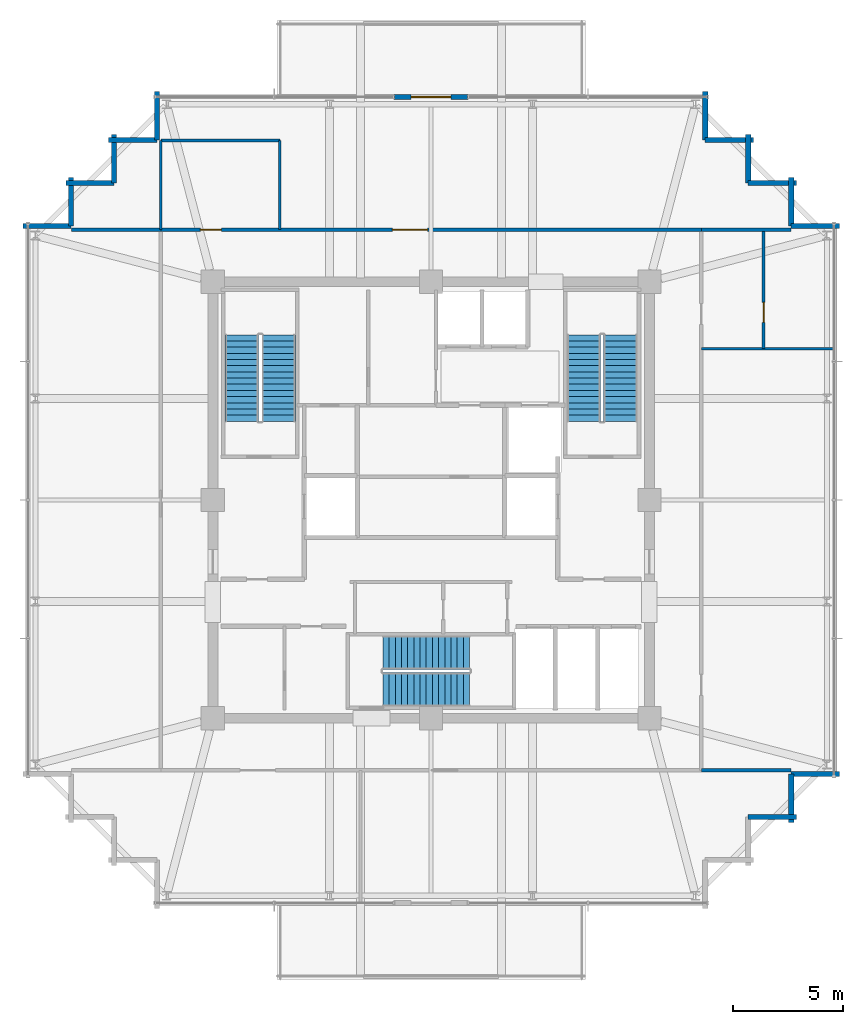
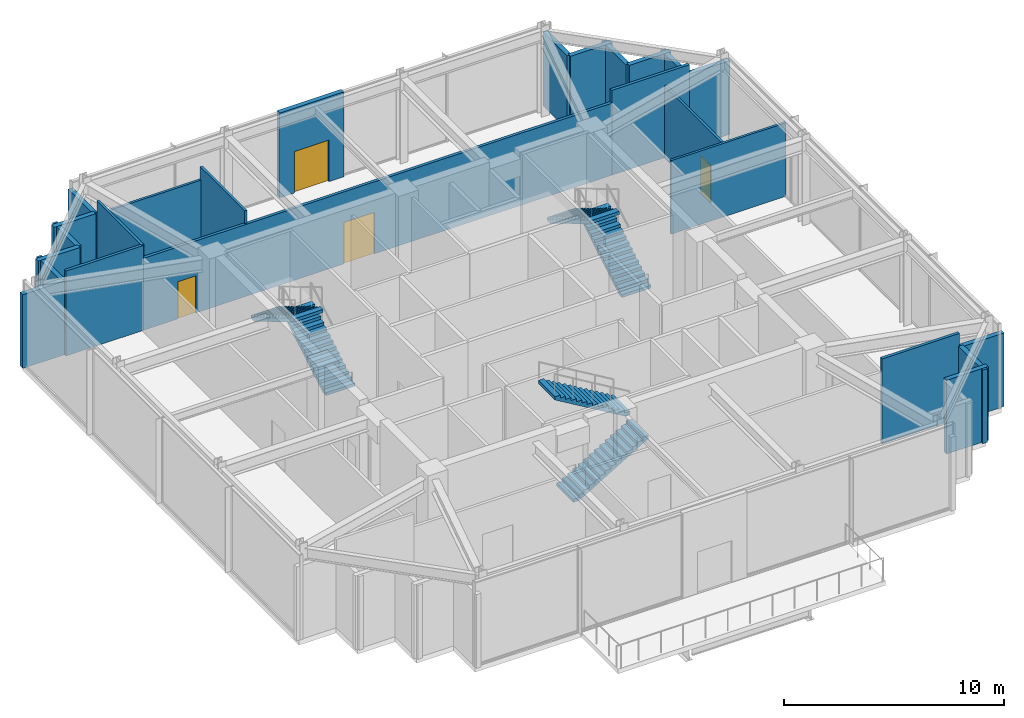
# One storey, part 29 of 31: 25 walls, 6 stair flights, 4 doors, 4 openings, 3 elements without a shape of their own.
"""IFC4 building model written with IfcOpenShell, lengths in metres."""

from ifc_helpers import new_model, si_unit, direction, frame, frame_2d, origin, place, context, subcontext, project, spatial, polyline, rectangle, outline, extrude, material, layer, layer_set, type_object, element, fill, aggregate, save


model = new_model("IFC4")

# Units and contexts
model_context = context("Model", 3, precision=1e-05, world=origin(), true_north=direction((0.0, 1.0)))
body_context = subcontext(model_context, "Body", "Model", "MODEL_VIEW")
ifc_project = project(units=[si_unit("LENGTHUNIT", "METRE"), si_unit("AREAUNIT", "SQUARE_METRE"), si_unit("VOLUMEUNIT", "CUBIC_METRE"), si_unit("PLANEANGLEUNIT", "RADIAN"), si_unit("MASSUNIT", "GRAM", prefix="KILO")], contexts=[model_context])

# Site, building, storey
site_placement = place(None, origin())
site = spatial("IfcSite", under=ifc_project, at=site_placement, CompositionType="ELEMENT")
building_placement = place(site_placement, origin())
building = spatial("IfcBuilding", under=site, at=building_placement, Name="Kolvaren Belvedere", CompositionType="ELEMENT")
storey_placement = place(building_placement, frame((0.0, 0.0, 267.39990234375)))
storey = spatial("IfcBuildingStorey", under=building, at=storey_placement, Name="L77", CompositionType="ELEMENT", Elevation=267.39990234375)

# Wall, openings, doors
ifc_material_1 = material(Name="Gypsum fire-rated partition assembly", Category="gypsum")
ifc_layer_1 = layer(ifc_material_1, 0.14990234375)
ifc_layer_set_1 = layer_set([ifc_layer_1], Name="Gypsum fire-rated partition assembly")
wall_type_1 = type_object("IfcWallType", Name="WL-CORR-150", PredefinedType="PARTITIONING", material=ifc_layer_set_1)
wall_1_placement = place(storey_placement, frame((-12.260009765625, 12.260009765625, 0.0), z_axis=(0.0, 0.0, 1.0), x_axis=(1.0, 0.0, 0.0)))
wall_1 = element("IfcWall", 1, at=wall_1_placement, inside=storey, type_object=wall_type_1, Name="L77 North Corridor Wall", PredefinedType="PARTITIONING", context=body_context, shape_type="SweptSolid", body=[
    extrude(rectangle(XDim=24.52001953125, YDim=0.14990234375, at=frame_2d((12.260009765625, 0.0))), origin(), (0.0, 0.0, 1.0), 3.989013671875),
])
opening_1_placement = place(wall_1_placement, frame((1.800048828125, 0.0, 0.0)))
opening_1 = element("IfcOpeningElement", 2, at=opening_1_placement, cuts=wall_1, Name="Opening D-INT95", PredefinedType="OPENING", context=body_context, shape_type="SweptSolid", body=[
    extrude(rectangle(XDim=0.949951171875, YDim=2.06005859375, at=frame_2d((0.47509765625, 1.030029296875))), frame((0.0, 0.0849609375, 0.0), z_axis=(0.0, -1.0, 0.0), x_axis=(1.0, 0.0, 0.0)), (0.0, 0.0, 1.0), 0.169921875),
])
opening_2_placement = place(wall_1_placement, frame((10.5, 0.0, 0.0)))
opening_2 = element("IfcOpeningElement", 3, at=opening_2_placement, cuts=wall_1, Name="Opening D-GL16", PredefinedType="OPENING", context=body_context, shape_type="SweptSolid", body=[
    extrude(rectangle(XDim=1.60009765625, YDim=2.300048828125, at=frame_2d((0.800048828125, 1.14990234375))), frame((0.0, 0.0849609375, 0.0), z_axis=(0.0, -1.0, 0.0), x_axis=(1.0, 0.0, 0.0)), (0.0, 0.0, 1.0), 0.169921875),
])
ifc_material_2 = material(Name="Anodised pale-metal aluminium & safety glass", Category="aluminium")
door_type_1 = type_object("IfcDoorType", Name="DR-GLAZ-1600", OperationType="DOUBLE_DOOR_SINGLE_SWING", PredefinedType="DOOR", material=ifc_material_2)
door_1_placement = place(opening_2_placement, origin())
door_1 = element("IfcDoor", 4, at=door_1_placement, inside=storey, type_object=door_type_1, Name="L77 North Horizon Viewing Lounge Door", OperationType="DOUBLE_DOOR_SINGLE_SWING", OverallHeight=2.300048828125, OverallWidth=1.60009765625, PredefinedType="DOOR", context=body_context, shape_type="SweptSolid", body=[
    extrude(rectangle(XDim=1.60009765625, YDim=2.300048828125, at=frame_2d((0.800048828125, 1.14990234375))), frame((0.0, 0.02490234375, 0.0), z_axis=(0.0, -1.0, 0.0), x_axis=(1.0, 0.0, 0.0)), (0.0, 0.0, 1.0), 0.050048828125),
])
fill(opening_2, door_1)
ifc_material_3 = material(Name="Stained Pacific white oak", Category="timber")
door_type_2 = type_object("IfcDoorType", Name="DR-INT-950", OperationType="NOTDEFINED", PredefinedType="DOOR", material=ifc_material_3)
door_2_placement = place(opening_1_placement, origin())
door_2 = element("IfcDoor", 5, at=door_2_placement, inside=storey, type_object=door_type_2, Name="L77 Accessible Observation Washroom Door", OperationType="SINGLE_SWING_LEFT", OverallHeight=2.06005859375, OverallWidth=0.949951171875, PredefinedType="DOOR", context=body_context, shape_type="SweptSolid", body=[
    extrude(rectangle(XDim=0.949951171875, YDim=2.06005859375, at=frame_2d((0.47509765625, 1.030029296875))), frame((0.0, 0.02490234375, 0.0), z_axis=(0.0, -1.0, 0.0), x_axis=(1.0, 0.0, 0.0)), (0.0, 0.0, 1.0), 0.050048828125),
])
fill(opening_1, door_2)

# Walls
for number, where, z_axis, x_axis, name in (
    (6, (12.260009765625, -12.260009765625, 0.0), (0.0, 0.0, 1.0), (1.0, 0.0, 0.0), "L77 Sector Wall PW-L77-QSE"),
    (7, (-16.320068359375, 12.260009765625, 0.0), (0.0, 0.0, 1.0), (1.0, 0.0, 0.0), "L77 Sector Wall PW-L77-QNW"),
    (8, (12.260009765625, 12.260009765625, 0.0), (0.0, 0.0, 1.0), (1.0, 0.0, 0.0), "L77 Sector Wall PW-L77-QNE"),
):
    element("IfcWall", number, at=place(storey_placement, frame(where, z_axis=z_axis, x_axis=x_axis)), inside=storey, type_object=wall_type_1, Name=name, PredefinedType="PARTITIONING", context=body_context, shape_type="SweptSolid", body=[
        extrude(rectangle(XDim=4.06005859375, YDim=0.14990234375, at=frame_2d((2.030029296875, 0.0))), origin(), (0.0, 0.0, 1.0), 4.7001953125),
    ])
ifc_material_4 = material(Name="Insulated pale-metal facade wall assembly", Category="aluminium")
ifc_layer_2 = layer(ifc_material_4, 0.239990234375)
ifc_layer_set_2 = layer_set([ifc_layer_2], Name="Insulated pale-metal facade wall assembly")
wall_type_2 = type_object("IfcWallType", Name="WL-EXT-240", PredefinedType="STANDARD", material=ifc_layer_set_2)
for number, where, z_axis, x_axis, name in (
    (9, (16.570068359375, -14.3798828125, 0.0), (0.0, 0.0, 1.0), (-1.0, 0.0, 0.0), "L77 Serrated Corner Facade Wall 5"),
    (10, (16.330078125, -12.429931640625, 0.0), (0.0, 0.0, 1.0), (0.0, -1.0, 0.0), "L77 Serrated Corner Facade Wall 6"),
):
    element("IfcWall", number, at=place(storey_placement, frame(where, z_axis=z_axis, x_axis=x_axis)), inside=storey, type_object=wall_type_2, Name=name, PredefinedType="STANDARD", context=body_context, shape_type="SweptSolid", body=[
        extrude(rectangle(XDim=2.190185546875, YDim=0.239990234375, at=frame_2d((1.09521484375, 0.0))), origin(), (0.0, 0.0, 1.0), 4.0830078125),
    ])
for number, where, z_axis, x_axis, name in (
    (11, (18.52001953125, -12.429931640625, 0.0), (0.0, 0.0, 1.0), (-1.0, 0.0, 0.0), "L77 Serrated Corner Facade Wall 7"),
    (12, (16.330078125, 12.429931640625, 0.0), (0.0, 0.0, 1.0), (1.0, 0.0, 0.0), "L77 Serrated Corner Facade Wall 9"),
):
    element("IfcWall", number, at=place(storey_placement, frame(where, z_axis=z_axis, x_axis=x_axis)), inside=storey, type_object=wall_type_2, Name=name, PredefinedType="STANDARD", context=body_context, shape_type="SweptSolid", body=[
        extrude(rectangle(XDim=2.18994140625, YDim=0.239990234375, at=frame_2d((1.094970703125, 0.0))), origin(), (0.0, 0.0, 1.0), 4.0830078125),
    ])
for number, where, z_axis, x_axis, name in (
    (13, (16.330078125, 14.6201171875, 0.0), (0.0, 0.0, 1.0), (0.0, -1.0, 0.0), "L77 Serrated Corner Facade Wall 10"),
    (14, (14.3798828125, 14.3798828125, 0.0), (0.0, 0.0, 1.0), (1.0, 0.0, 0.0), "L77 Serrated Corner Facade Wall 11"),
    (15, (14.3798828125, 16.570068359375, 0.0), (0.0, 0.0, 1.0), (0.0, -1.0, 0.0), "L77 Serrated Corner Facade Wall 12"),
    (16, (12.429931640625, 16.330078125, 0.0), (0.0, 0.0, 1.0), (1.0, 0.0, 0.0), "L77 Serrated Corner Facade Wall 13"),
):
    element("IfcWall", number, at=place(storey_placement, frame(where, z_axis=z_axis, x_axis=x_axis)), inside=storey, type_object=wall_type_2, Name=name, PredefinedType="STANDARD", context=body_context, shape_type="SweptSolid", body=[
        extrude(rectangle(XDim=2.190185546875, YDim=0.239990234375, at=frame_2d((1.09521484375, 0.0))), origin(), (0.0, 0.0, 1.0), 4.0830078125),
    ])
wall_2_placement = place(storey_placement, frame((12.429931640625, 18.52001953125, 0.0), z_axis=(0.0, 0.0, 1.0), x_axis=(0.0, -1.0, 0.0)))
element("IfcWall", 17, at=wall_2_placement, inside=storey, type_object=wall_type_2, Name="L77 Serrated Corner Facade Wall 14", PredefinedType="STANDARD", context=body_context, shape_type="SweptSolid", body=[
    extrude(rectangle(XDim=2.18994140625, YDim=0.239990234375, at=frame_2d((1.094970703125, 0.0))), origin(), (0.0, 0.0, 1.0), 4.0830078125),
])

# Wall, opening, door
wall_3_placement = place(storey_placement, frame((-1.679931640625, 18.280029296875, 0.0), z_axis=(0.0, 0.0, 1.0), x_axis=(1.0, 0.0, 0.0)))
wall_3 = element("IfcWall", 18, at=wall_3_placement, inside=storey, type_object=wall_type_2, Name="L77 North Terrace Portal Wall", PredefinedType="STANDARD", context=body_context, shape_type="SweptSolid", body=[
    extrude(rectangle(XDim=3.35986328125, YDim=0.239990234375, at=frame_2d((1.679931640625, 0.0))), origin(), (0.0, 0.0, 1.0), 4.7001953125),
])
opening_3_placement = place(wall_3_placement, frame((0.780029296875, 0.0, 0.0)))
opening_3 = element("IfcOpeningElement", 19, at=opening_3_placement, cuts=wall_3, Name="Opening DE-1800", PredefinedType="OPENING", context=body_context, shape_type="SweptSolid", body=[
    extrude(rectangle(XDim=1.800048828125, YDim=2.300048828125, at=frame_2d((0.89990234375, 1.14990234375))), frame((0.0, 0.1298828125, 0.0), z_axis=(0.0, -1.0, 0.0), x_axis=(1.0, 0.0, 0.0)), (0.0, 0.0, 1.0), 0.260009765625),
])
ifc_material_5 = material(Name="Thermally broken pale-metal aluminium & safety glass", Category="aluminium")
door_type_3 = type_object("IfcDoorType", Name="DR-EXT-1800", OperationType="DOUBLE_DOOR_SINGLE_SWING", PredefinedType="DOOR", material=ifc_material_5)
door_3_placement = place(opening_3_placement, origin())
door_3 = element("IfcDoor", 20, at=door_3_placement, inside=storey, type_object=door_type_3, Name="L77 North Public Lookout Exit Door", OperationType="DOUBLE_DOOR_SINGLE_SWING", OverallHeight=2.300048828125, OverallWidth=1.800048828125, PredefinedType="DOOR", context=body_context, shape_type="SweptSolid", body=[
    extrude(rectangle(XDim=1.800048828125, YDim=2.300048828125, at=frame_2d((0.89990234375, 1.14990234375))), frame((0.0, 0.02490234375, 0.0), z_axis=(0.0, -1.0, 0.0), x_axis=(1.0, 0.0, 0.0)), (0.0, 0.0, 1.0), 0.050048828125),
])
fill(opening_3, door_3)

# Walls
wall_4_placement = place(storey_placement, frame((-12.429931640625, 16.330078125, 0.0), z_axis=(0.0, 0.0, 1.0), x_axis=(0.0, 1.0, 0.0)))
element("IfcWall", 21, at=wall_4_placement, inside=storey, type_object=wall_type_2, Name="L77 Serrated Corner Facade Wall 16", PredefinedType="STANDARD", context=body_context, shape_type="SweptSolid", body=[
    extrude(rectangle(XDim=2.18994140625, YDim=0.239990234375, at=frame_2d((1.094970703125, 0.0))), origin(), (0.0, 0.0, 1.0), 4.0830078125),
])
for number, where, z_axis, x_axis, name in (
    (22, (-14.6201171875, 16.330078125, 0.0), (0.0, 0.0, 1.0), (1.0, 0.0, 0.0), "L77 Serrated Corner Facade Wall 17"),
    (23, (-14.3798828125, 14.3798828125, 0.0), (0.0, 0.0, 1.0), (0.0, 1.0, 0.0), "L77 Serrated Corner Facade Wall 18"),
    (24, (-16.570068359375, 14.3798828125, 0.0), (0.0, 0.0, 1.0), (1.0, 0.0, 0.0), "L77 Serrated Corner Facade Wall 19"),
    (25, (-16.330078125, 12.429931640625, 0.0), (0.0, 0.0, 1.0), (0.0, 1.0, 0.0), "L77 Serrated Corner Facade Wall 20"),
):
    element("IfcWall", number, at=place(storey_placement, frame(where, z_axis=z_axis, x_axis=x_axis)), inside=storey, type_object=wall_type_2, Name=name, PredefinedType="STANDARD", context=body_context, shape_type="SweptSolid", body=[
        extrude(rectangle(XDim=2.190185546875, YDim=0.239990234375, at=frame_2d((1.09521484375, 0.0))), origin(), (0.0, 0.0, 1.0), 4.0830078125),
    ])
wall_5_placement = place(storey_placement, frame((-18.52001953125, 12.429931640625, 0.0), z_axis=(0.0, 0.0, 1.0), x_axis=(1.0, 0.0, 0.0)))
element("IfcWall", 26, at=wall_5_placement, inside=storey, type_object=wall_type_2, Name="L77 Serrated Corner Facade Wall 21", PredefinedType="STANDARD", context=body_context, shape_type="SweptSolid", body=[
    extrude(rectangle(XDim=2.18994140625, YDim=0.239990234375, at=frame_2d((1.094970703125, 0.0))), origin(), (0.0, 0.0, 1.0), 4.0830078125),
])
ifc_material_6 = material(Name="Moisture-resistant gypsum partition", Category="gypsum")
ifc_layer_3 = layer(ifc_material_6, 0.125)
ifc_layer_set_3 = layer_set([ifc_layer_3], Name="Moisture-resistant gypsum partition")
wall_type_3 = type_object("IfcWallType", Name="WL-WET-125", PredefinedType="PARTITIONING", material=ifc_layer_set_3)
wall_6_placement = place(storey_placement, frame((12.260009765625, 6.860107421875, 0.0), z_axis=(0.0, 0.0, 1.0), x_axis=(1.0, 0.0, 0.0)))
element("IfcWall", 27, at=wall_6_placement, inside=storey, type_object=wall_type_3, Name="L77 East Washroom Wall", PredefinedType="PARTITIONING", context=body_context, shape_type="SweptSolid", body=[
    extrude(rectangle(XDim=6.02001953125, YDim=0.125, at=frame_2d((3.010009765625, 0.0))), origin(), (0.0, 0.0, 1.0), 4.072998046875),
])

# Wall, opening, door
wall_7_placement = place(storey_placement, frame((15.080078125, 6.860107421875, 0.0), z_axis=(0.0, 0.0, 1.0), x_axis=(0.0, 1.0, 0.0)))
wall_7 = element("IfcWall", 28, at=wall_7_placement, inside=storey, type_object=wall_type_3, Name="L77 East Washroom Back Wall", PredefinedType="PARTITIONING", context=body_context, shape_type="SweptSolid", body=[
    extrude(rectangle(XDim=5.39990234375, YDim=0.125, at=frame_2d((2.699951171875, 0.0))), origin(), (0.0, 0.0, 1.0), 3.989013671875),
])
opening_4_placement = place(wall_7_placement, frame((1.199951171875, 0.0, 0.0)))
opening_4 = element("IfcOpeningElement", 29, at=opening_4_placement, cuts=wall_7, Name="Opening D-INT90", PredefinedType="OPENING", context=body_context, shape_type="SweptSolid", body=[
    extrude(rectangle(XDim=0.89990234375, YDim=2.06005859375, at=frame_2d((0.449951171875, 1.030029296875))), frame((0.0, 0.072509765625, 0.0), z_axis=(0.0, -1.0, 0.0), x_axis=(1.0, 0.0, 0.0)), (0.0, 0.0, 1.0), 0.14501953125),
])
ifc_material_7 = material(Name="Stained Pacific white oak", Category="timber")
door_type_4 = type_object("IfcDoorType", Name="DR-INT-900", OperationType="NOTDEFINED", PredefinedType="DOOR", material=ifc_material_7)
door_4_placement = place(opening_4_placement, origin())
door_4 = element("IfcDoor", 30, at=door_4_placement, inside=storey, type_object=door_type_4, Name="L77 Hospitality Service Pantry Door", OperationType="SINGLE_SWING_LEFT", OverallHeight=2.06005859375, OverallWidth=0.89990234375, PredefinedType="DOOR", context=body_context, shape_type="SweptSolid", body=[
    extrude(rectangle(XDim=0.89990234375, YDim=2.06005859375, at=frame_2d((0.449951171875, 1.030029296875))), frame((0.0, 0.02490234375, 0.0), z_axis=(0.0, -1.0, 0.0), x_axis=(1.0, 0.0, 0.0)), (0.0, 0.0, 1.0), 0.050048828125),
])
fill(opening_4, door_4)

# Walls
for number, where, z_axis, x_axis, name in (
    (31, (-12.260009765625, 12.260009765625, 0.0), (0.0, 0.0, 1.0), (0.0, 1.0, 0.0), "L77 Accessible WC West Wall"),
    (32, (-6.860107421875, 12.260009765625, 0.0), (0.0, 0.0, 1.0), (0.0, 1.0, 0.0), "L77 Accessible WC East Wall"),
):
    element("IfcWall", number, at=place(storey_placement, frame(where, z_axis=z_axis, x_axis=x_axis)), inside=storey, type_object=wall_type_3, Name=name, PredefinedType="PARTITIONING", context=body_context, shape_type="SweptSolid", body=[
        extrude(rectangle(XDim=4.0400390625, YDim=0.125, at=frame_2d((2.02001953125, 0.0))), origin(), (0.0, 0.0, 1.0), 4.7001953125),
    ])
wall_8_placement = place(storey_placement, frame((-12.260009765625, 16.300048828125, 0.0), z_axis=(0.0, 0.0, 1.0), x_axis=(1.0, 0.0, 0.0)))
element("IfcWall", 33, at=wall_8_placement, inside=storey, type_object=wall_type_3, Name="L77 Accessible WC North Wall", PredefinedType="PARTITIONING", context=body_context, shape_type="SweptSolid", body=[
    extrude(rectangle(XDim=5.39990234375, YDim=0.125, at=frame_2d((2.699951171875, 0.0))), origin(), (0.0, 0.0, 1.0), 3.989013671875),
])

# Stair, stair flights
ifc_material_8 = material(Name="Concrete C50/60", Category="concrete")
stair_type = type_object("IfcStairType", Name="ST-CORE-1520", PredefinedType="HALF_TURN_STAIR", material=ifc_material_8)
stair_1_placement = place(storey_placement, origin())
stair_1 = element("IfcStair", 34, at=stair_1_placement, inside=storey, type_object=stair_type, Name="L77 Protected Exit Stair ST-1", PredefinedType="HALF_TURN_STAIR")
ifc_material_9 = material(Name="Concrete C50/60", Category="concrete")
stair_flight_type = type_object("IfcStairFlightType", Name="SF-STR-1520", PredefinedType="STRAIGHT", material=ifc_material_9)
stair_flight_1_placement = place(storey_placement, frame((-6.919921875, 3.570068359375, 0.0), z_axis=(0.0, 0.0, 1.0), x_axis=(0.0, 1.0, 0.0)))
stair_flight_1 = element("IfcStairFlight", 35, at=stair_flight_1_placement, type_object=stair_flight_type, Name="ST-1 flight 1", NumberOfRisers=15, NumberOfTreads=14, PredefinedType="STRAIGHT", RiserHeight=0.166666667, TreadLength=0.28, context=body_context, shape_type="SweptSolid", body=[
    extrude(outline(polyline([(0.0, 0.0), (0.0, 0.166748046875), (0.280029296875, 0.166748046875), (0.280029296875, 0.333251953125), (0.56005859375, 0.333251953125), (0.56005859375, 0.5), (0.840087890625, 0.5), (0.840087890625, 0.666748046875), (1.1201171875, 0.666748046875), (1.1201171875, 0.833251953125), (1.39990234375, 0.833251953125), (1.39990234375, 1.0), (1.679931640625, 1.0), (1.679931640625, 1.166748046875), (1.9599609375, 1.166748046875), (1.9599609375, 1.333251953125), (2.239990234375, 1.333251953125), (2.239990234375, 1.5), (2.52001953125, 1.5), (2.52001953125, 1.666748046875), (2.800048828125, 1.666748046875), (2.800048828125, 1.833251953125), (3.080078125, 1.833251953125), (3.080078125, 2.0), (3.360107421875, 2.0), (3.360107421875, 2.166748046875), (3.639892578125, 2.166748046875), (3.639892578125, 2.333251953125), (3.919921875, 2.333251953125), (3.919921875, 2.5), (3.919921875, 2.158935546875), (0.29296875, 0.0), (0.0, 0.0)])), frame((0.0, 0.760009765625, 0.0), z_axis=(0.0, -1.0, 0.0), x_axis=(1.0, 0.0, 0.0)), (0.0, 0.0, 1.0), 1.52001953125),
])
stair_flight_2_placement = place(storey_placement, frame((-8.590087890625, 7.489990234375, 2.5), z_axis=(0.0, 0.0, 1.0), x_axis=(0.0, -1.0, 0.0)))
stair_flight_2 = element("IfcStairFlight", 36, at=stair_flight_2_placement, type_object=stair_flight_type, Name="ST-1 flight 2", NumberOfRisers=15, NumberOfTreads=14, PredefinedType="STRAIGHT", RiserHeight=0.166666667, TreadLength=0.28, context=body_context, shape_type="SweptSolid", body=[
    extrude(outline(polyline([(0.0, 0.0), (0.0, 0.166748046875), (0.280029296875, 0.166748046875), (0.280029296875, 0.333251953125), (0.56005859375, 0.333251953125), (0.56005859375, 0.5), (0.840087890625, 0.5), (0.840087890625, 0.666748046875), (1.1201171875, 0.666748046875), (1.1201171875, 0.833251953125), (1.39990234375, 0.833251953125), (1.39990234375, 1.0), (1.679931640625, 1.0), (1.679931640625, 1.166748046875), (1.9599609375, 1.166748046875), (1.9599609375, 1.333251953125), (2.239990234375, 1.333251953125), (2.239990234375, 1.5), (2.52001953125, 1.5), (2.52001953125, 1.666748046875), (2.800048828125, 1.666748046875), (2.800048828125, 1.833251953125), (3.080078125, 1.833251953125), (3.080078125, 2.0), (3.360107421875, 2.0), (3.360107421875, 2.166748046875), (3.639892578125, 2.166748046875), (3.639892578125, 2.333251953125), (3.919921875, 2.333251953125), (3.919921875, 2.5), (3.919921875, 2.158935546875), (0.29296875, 0.0), (0.0, 0.0)])), frame((0.0, 0.760009765625, 0.0), z_axis=(0.0, -1.0, 0.0), x_axis=(1.0, 0.0, 0.0)), (0.0, 0.0, 1.0), 1.52001953125),
])
aggregate(stair_1, [stair_flight_1, stair_flight_2])

stair_2_placement = place(storey_placement, origin())
stair_2 = element("IfcStair", 37, at=stair_2_placement, inside=storey, type_object=stair_type, Name="L77 Protected Exit Stair ST-2", PredefinedType="HALF_TURN_STAIR")
stair_flight_3_placement = place(storey_placement, frame((8.590087890625, 3.570068359375, 0.0), z_axis=(0.0, 0.0, 1.0), x_axis=(0.0, 1.0, 0.0)))
stair_flight_3 = element("IfcStairFlight", 38, at=stair_flight_3_placement, type_object=stair_flight_type, Name="ST-2 flight 1", NumberOfRisers=15, NumberOfTreads=14, PredefinedType="STRAIGHT", RiserHeight=0.166666667, TreadLength=0.28, context=body_context, shape_type="SweptSolid", body=[
    extrude(outline(polyline([(0.0, 0.0), (0.0, 0.166748046875), (0.280029296875, 0.166748046875), (0.280029296875, 0.333251953125), (0.56005859375, 0.333251953125), (0.56005859375, 0.5), (0.840087890625, 0.5), (0.840087890625, 0.666748046875), (1.1201171875, 0.666748046875), (1.1201171875, 0.833251953125), (1.39990234375, 0.833251953125), (1.39990234375, 1.0), (1.679931640625, 1.0), (1.679931640625, 1.166748046875), (1.9599609375, 1.166748046875), (1.9599609375, 1.333251953125), (2.239990234375, 1.333251953125), (2.239990234375, 1.5), (2.52001953125, 1.5), (2.52001953125, 1.666748046875), (2.800048828125, 1.666748046875), (2.800048828125, 1.833251953125), (3.080078125, 1.833251953125), (3.080078125, 2.0), (3.360107421875, 2.0), (3.360107421875, 2.166748046875), (3.639892578125, 2.166748046875), (3.639892578125, 2.333251953125), (3.919921875, 2.333251953125), (3.919921875, 2.5), (3.919921875, 2.158935546875), (0.29296875, 0.0), (0.0, 0.0)])), frame((0.0, 0.760009765625, 0.0), z_axis=(0.0, -1.0, 0.0), x_axis=(1.0, 0.0, 0.0)), (0.0, 0.0, 1.0), 1.52001953125),
])
stair_flight_4_placement = place(storey_placement, frame((6.919921875, 7.489990234375, 2.5), z_axis=(0.0, 0.0, 1.0), x_axis=(0.0, -1.0, 0.0)))
stair_flight_4 = element("IfcStairFlight", 39, at=stair_flight_4_placement, type_object=stair_flight_type, Name="ST-2 flight 2", NumberOfRisers=15, NumberOfTreads=14, PredefinedType="STRAIGHT", RiserHeight=0.166666667, TreadLength=0.28, context=body_context, shape_type="SweptSolid", body=[
    extrude(outline(polyline([(0.0, 0.0), (0.0, 0.166748046875), (0.280029296875, 0.166748046875), (0.280029296875, 0.333251953125), (0.56005859375, 0.333251953125), (0.56005859375, 0.5), (0.840087890625, 0.5), (0.840087890625, 0.666748046875), (1.1201171875, 0.666748046875), (1.1201171875, 0.833251953125), (1.39990234375, 0.833251953125), (1.39990234375, 1.0), (1.679931640625, 1.0), (1.679931640625, 1.166748046875), (1.9599609375, 1.166748046875), (1.9599609375, 1.333251953125), (2.239990234375, 1.333251953125), (2.239990234375, 1.5), (2.52001953125, 1.5), (2.52001953125, 1.666748046875), (2.800048828125, 1.666748046875), (2.800048828125, 1.833251953125), (3.080078125, 1.833251953125), (3.080078125, 2.0), (3.360107421875, 2.0), (3.360107421875, 2.166748046875), (3.639892578125, 2.166748046875), (3.639892578125, 2.333251953125), (3.919921875, 2.333251953125), (3.919921875, 2.5), (3.919921875, 2.158935546875), (0.29296875, 0.0), (0.0, 0.0)])), frame((0.0, 0.760009765625, 0.0), z_axis=(0.0, -1.0, 0.0), x_axis=(1.0, 0.0, 0.0)), (0.0, 0.0, 1.0), 1.52001953125),
])
aggregate(stair_2, [stair_flight_3, stair_flight_4])

stair_3_placement = place(storey_placement, origin())
stair_3 = element("IfcStair", 40, at=stair_3_placement, inside=storey, type_object=stair_type, Name="L77 Protected Exit Stair ST-3", PredefinedType="HALF_TURN_STAIR")
stair_flight_5_placement = place(storey_placement, frame((-2.179931640625, -8.590087890625, 0.0), z_axis=(0.0, 0.0, 1.0), x_axis=(1.0, 0.0, 0.0)))
stair_flight_5 = element("IfcStairFlight", 41, at=stair_flight_5_placement, type_object=stair_flight_type, Name="ST-3 flight 1", NumberOfRisers=15, NumberOfTreads=14, PredefinedType="STRAIGHT", RiserHeight=0.166666667, TreadLength=0.28, context=body_context, shape_type="SweptSolid", body=[
    extrude(outline(polyline([(0.0, 0.0), (0.0, 0.166748046875), (0.280029296875, 0.166748046875), (0.280029296875, 0.333251953125), (0.56005859375, 0.333251953125), (0.56005859375, 0.5), (0.840087890625, 0.5), (0.840087890625, 0.666748046875), (1.1201171875, 0.666748046875), (1.1201171875, 0.833251953125), (1.39990234375, 0.833251953125), (1.39990234375, 1.0), (1.679931640625, 1.0), (1.679931640625, 1.166748046875), (1.9599609375, 1.166748046875), (1.9599609375, 1.333251953125), (2.239990234375, 1.333251953125), (2.239990234375, 1.5), (2.52001953125, 1.5), (2.52001953125, 1.666748046875), (2.800048828125, 1.666748046875), (2.800048828125, 1.833251953125), (3.080078125, 1.833251953125), (3.080078125, 2.0), (3.360107421875, 2.0), (3.360107421875, 2.166748046875), (3.639892578125, 2.166748046875), (3.639892578125, 2.333251953125), (3.919921875, 2.333251953125), (3.919921875, 2.5), (3.919921875, 2.158935546875), (0.29296875, 0.0), (0.0, 0.0)])), frame((0.0, 0.760009765625, 0.0), z_axis=(0.0, -1.0, 0.0), x_axis=(1.0, 0.0, 0.0)), (0.0, 0.0, 1.0), 1.52001953125),
])
stair_flight_6_placement = place(storey_placement, frame((1.739990234375, -6.919921875, 2.5), z_axis=(0.0, 0.0, 1.0), x_axis=(-1.0, 0.0, 0.0)))
stair_flight_6 = element("IfcStairFlight", 42, at=stair_flight_6_placement, type_object=stair_flight_type, Name="ST-3 flight 2", NumberOfRisers=15, NumberOfTreads=14, PredefinedType="STRAIGHT", RiserHeight=0.166666667, TreadLength=0.28, context=body_context, shape_type="SweptSolid", body=[
    extrude(outline(polyline([(0.0, 0.0), (0.0, 0.166748046875), (0.280029296875, 0.166748046875), (0.280029296875, 0.333251953125), (0.56005859375, 0.333251953125), (0.56005859375, 0.5), (0.840087890625, 0.5), (0.840087890625, 0.666748046875), (1.1201171875, 0.666748046875), (1.1201171875, 0.833251953125), (1.39990234375, 0.833251953125), (1.39990234375, 1.0), (1.679931640625, 1.0), (1.679931640625, 1.166748046875), (1.9599609375, 1.166748046875), (1.9599609375, 1.333251953125), (2.239990234375, 1.333251953125), (2.239990234375, 1.5), (2.52001953125, 1.5), (2.52001953125, 1.666748046875), (2.800048828125, 1.666748046875), (2.800048828125, 1.833251953125), (3.080078125, 1.833251953125), (3.080078125, 2.0), (3.360107421875, 2.0), (3.360107421875, 2.166748046875), (3.639892578125, 2.166748046875), (3.639892578125, 2.333251953125), (3.919921875, 2.333251953125), (3.919921875, 2.5), (3.919921875, 2.158935546875), (0.29296875, 0.0), (0.0, 0.0)])), frame((0.0, 0.760009765625, 0.0), z_axis=(0.0, -1.0, 0.0), x_axis=(1.0, 0.0, 0.0)), (0.0, 0.0, 1.0), 1.52001953125),
])
aggregate(stair_3, [stair_flight_5, stair_flight_6])

save(model, "model.ifc")
